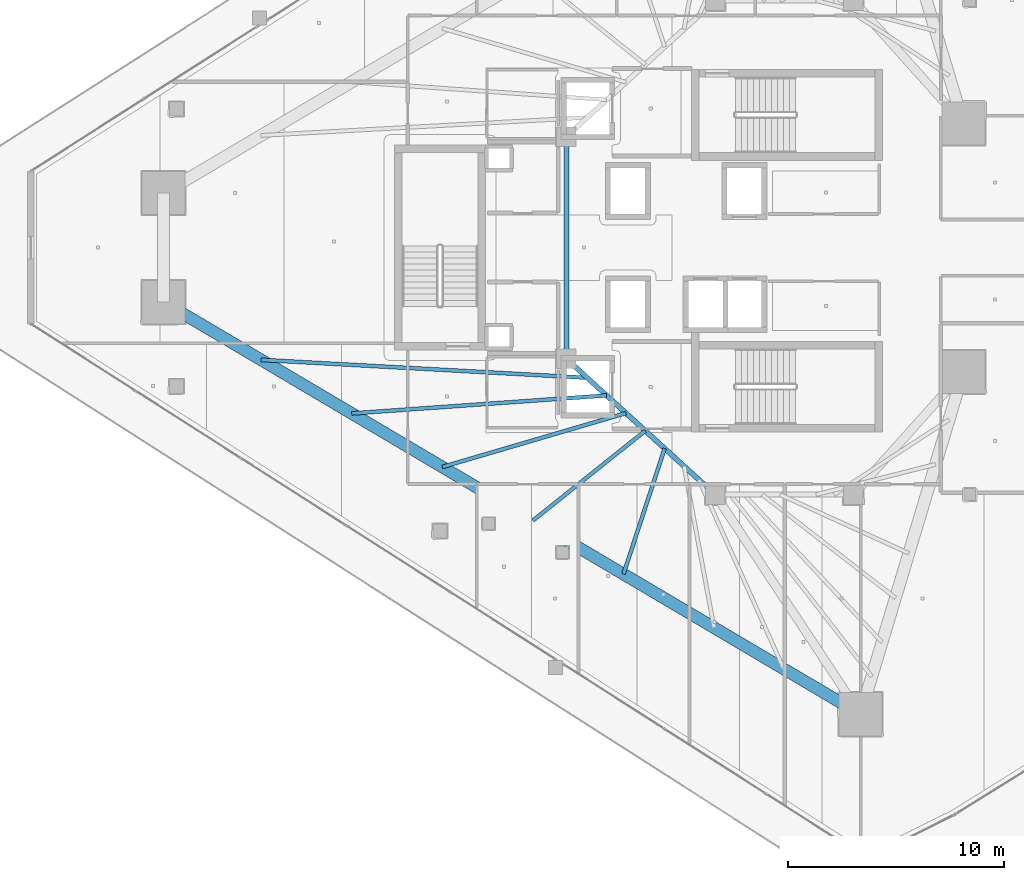
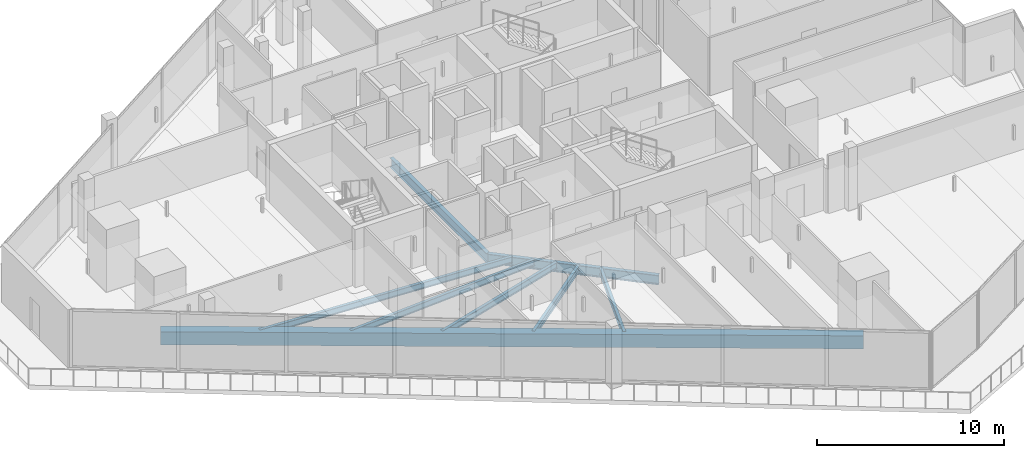
# One storey, part 8 of 37: 8 beams.
"""IFC4 building model written with IfcOpenShell, lengths in metres."""

from ifc_helpers import new_model, si_unit, direction, frame, origin, origin_2d, place, context, subcontext, project, spatial, rectangle, i_section, extrude, material, material_profile, profile_set, type_object, element, save


model = new_model("IFC4")

# Units and contexts
model_context = context("Model", 3, precision=1e-05, world=origin(), true_north=direction((0.0, 1.0)))
body_context = subcontext(model_context, "Body", "Model", "MODEL_VIEW")
ifc_project = project(units=[si_unit("LENGTHUNIT", "METRE"), si_unit("AREAUNIT", "SQUARE_METRE"), si_unit("VOLUMEUNIT", "CUBIC_METRE"), si_unit("PLANEANGLEUNIT", "RADIAN"), si_unit("MASSUNIT", "GRAM", prefix="KILO")], contexts=[model_context])

# Site, building, storey
site_placement = place(None, origin())
site = spatial("IfcSite", under=ifc_project, at=site_placement, CompositionType="ELEMENT")
building_placement = place(site_placement, origin())
building = spatial("IfcBuilding", under=site, at=building_placement, Name="Qorvath Tower", CompositionType="ELEMENT")
storey_placement = place(building_placement, frame((0.0, 0.0, 188.85009765625)))
storey = spatial("IfcBuildingStorey", under=building, at=storey_placement, Name="L43", CompositionType="ELEMENT", Elevation=188.85009765625)

# Beams
ifc_material_1 = material(Name="Steel ASTM A992 Grade 50", Category="steel")
ifc_material_profile_1 = material_profile(ifc_material_1, i_section(OverallWidth=0.22998046875, OverallDepth=0.616943359375, WebThickness=0.01318359375, FlangeThickness=0.022216796875, FilletRadius=0.014892578125, at=origin_2d()), Name="W24x94")
ifc_profile_set_1 = profile_set([ifc_material_profile_1], Name="Steel ASTM A992 Grade 50")
beam_type_1 = type_object("IfcBeamType", Name="BM-FG6", PredefinedType="BEAM", material=ifc_profile_set_1)
beam_1_placement = place(storey_placement, frame((-23.60009765625, -11.449951171875, -0.57861328125), z_axis=(-0.73847813985, 0.6742774184, 0.0), x_axis=(-0.6742774184, -0.73847813985, 0.0)))
element("IfcBeam", 1, at=beam_1_placement, inside=storey, type_object=beam_type_1, Name="Core Ring Girder CC4-CC6 L43", PredefinedType="BEAM", context=body_context, shape_type="SweptSolid", body=[
    extrude(i_section(OverallWidth=0.22998046875, OverallDepth=0.616943359375, WebThickness=0.01318359375, FlangeThickness=0.022216796875, FilletRadius=0.014892578125, at=origin_2d()), origin(), (0.0, 0.0, 1.0), 9.343505859375),
])
beam_2_placement = place(storey_placement, frame((-30.5, -5.14990234375, -0.57861328125), z_axis=(0.0, 1.0, 0.0), x_axis=(-1.0, 0.0, 0.0)))
element("IfcBeam", 2, at=beam_2_placement, inside=storey, type_object=beam_type_1, Name="Core Ring Girder CC6-CC5 L43", PredefinedType="BEAM", context=body_context, shape_type="SweptSolid", body=[
    extrude(i_section(OverallWidth=0.22998046875, OverallDepth=0.616943359375, WebThickness=0.01318359375, FlangeThickness=0.022216796875, FilletRadius=0.014892578125, at=origin_2d()), origin(), (0.0, 0.0, 1.0), 10.2998046875),
])
ifc_material_2 = material(Name="Steel ASTM A992 Grade 50", Category="steel")
ifc_material_profile_2 = material_profile(ifc_material_2, i_section(OverallWidth=0.177978515625, OverallDepth=0.406005859375, WebThickness=0.0078125, FlangeThickness=0.0126953125, FilletRadius=0.010986328125, at=origin_2d()), Name="W16x40")
ifc_profile_set_2 = profile_set([ifc_material_profile_2], Name="Steel ASTM A992 Grade 50")
beam_type_2 = type_object("IfcBeamType", Name="BM-FJ3", PredefinedType="JOIST", material=ifc_profile_set_2)
beam_3_placement = place(storey_placement, frame((-29.533935546875, -6.031982421875, -0.472900390625), z_axis=(-0.998494745044, 0.054847462293, 0.0), x_axis=(-0.054847462293, -0.998494745044, 0.0)))
element("IfcBeam", 3, at=beam_3_placement, inside=storey, type_object=beam_type_2, Name="Composite Floor Joist SW1 L43", PredefinedType="JOIST", context=body_context, shape_type="SweptSolid", body=[
    extrude(i_section(OverallWidth=0.177978515625, OverallDepth=0.406005859375, WebThickness=0.0078125, FlangeThickness=0.0126953125, FilletRadius=0.010986328125, at=origin_2d()), origin(), (0.0, 0.0, 1.0), 15.138671875),
])
beam_4_placement = place(storey_placement, frame((-28.636962890625, -6.85107421875, -0.472900390625), z_axis=(-0.997520476731, -0.070376832146, 0.0), x_axis=(0.070376832146, -0.997520476731, 0.0)))
element("IfcBeam", 4, at=beam_4_placement, inside=storey, type_object=beam_type_2, Name="Composite Floor Joist SW2 L43", PredefinedType="JOIST", context=body_context, shape_type="SweptSolid", body=[
    extrude(i_section(OverallWidth=0.177978515625, OverallDepth=0.406005859375, WebThickness=0.0078125, FlangeThickness=0.0126953125, FilletRadius=0.010986328125, at=origin_2d()), origin(), (0.0, 0.0, 1.0), 11.84326171875),
])
beam_5_placement = place(storey_placement, frame((-27.739990234375, -7.669921875, -0.472900390625), z_axis=(-0.959544992264, -0.281555337049, 0.0), x_axis=(0.281555337049, -0.959544992264, 0.0)))
element("IfcBeam", 5, at=beam_5_placement, inside=storey, type_object=beam_type_2, Name="Composite Floor Joist SW3 L43", PredefinedType="JOIST", context=body_context, shape_type="SweptSolid", body=[
    extrude(i_section(OverallWidth=0.177978515625, OverallDepth=0.406005859375, WebThickness=0.0078125, FlangeThickness=0.0126953125, FilletRadius=0.010986328125, at=origin_2d()), origin(), (0.0, 0.0, 1.0), 8.87060546875),
])
beam_6_placement = place(storey_placement, frame((-26.843017578125, -8.489013671875, -0.472900390625), z_axis=(-0.781336553339, -0.624109918537, 0.0), x_axis=(0.624109918537, -0.781336553339, 0.0)))
element("IfcBeam", 6, at=beam_6_placement, inside=storey, type_object=beam_type_2, Name="Composite Floor Joist SW4 L43", PredefinedType="JOIST", context=body_context, shape_type="SweptSolid", body=[
    extrude(i_section(OverallWidth=0.177978515625, OverallDepth=0.406005859375, WebThickness=0.0078125, FlangeThickness=0.0126953125, FilletRadius=0.010986328125, at=origin_2d()), origin(), (0.0, 0.0, 1.0), 6.667724609375),
])
beam_7_placement = place(storey_placement, frame((-25.946044921875, -9.30810546875, -0.472900390625), z_axis=(-0.311228747452, -0.950335028692, 0.0), x_axis=(0.950335028692, -0.311228747452, 0.0)))
element("IfcBeam", 7, at=beam_7_placement, inside=storey, type_object=beam_type_2, Name="Composite Floor Joist SW5 L43", PredefinedType="JOIST", context=body_context, shape_type="SweptSolid", body=[
    extrude(i_section(OverallWidth=0.177978515625, OverallDepth=0.406005859375, WebThickness=0.0078125, FlangeThickness=0.0126953125, FilletRadius=0.010986328125, at=origin_2d()), origin(), (0.0, 0.0, 1.0), 6.129638671875),
])
ifc_material_3 = material(Name="Concrete C50/60", Category="concrete")
ifc_material_profile_3 = material_profile(ifc_material_3, rectangle(XDim=0.550048828125, YDim=0.85009765625, at=origin_2d()), Name="RCB 850x550")
ifc_profile_set_3 = profile_set([ifc_material_profile_3], Name="Concrete C50/60")
beam_type_3 = type_object("IfcBeamType", Name="BM-RCB2", PredefinedType="SPANDREL", material=ifc_profile_set_3)
beam_8_placement = place(storey_placement, frame((-49.171875, -2.52783203125, -0.695068359375), z_axis=(0.860776759786, -0.50898268125, 0.0), x_axis=(0.50898268125, 0.860776759786, 0.0)))
element("IfcBeam", 8, at=beam_8_placement, inside=storey, type_object=beam_type_3, Name="Perimeter Loggia Frame Beam MC2-MC3 L43", PredefinedType="SPANDREL", context=body_context, shape_type="SweptSolid", body=[
    extrude(rectangle(XDim=0.550048828125, YDim=0.85009765625, at=origin_2d()), origin(), (0.0, 0.0, 1.0), 37.524658203125),
])

save(model, "model.ifc")
